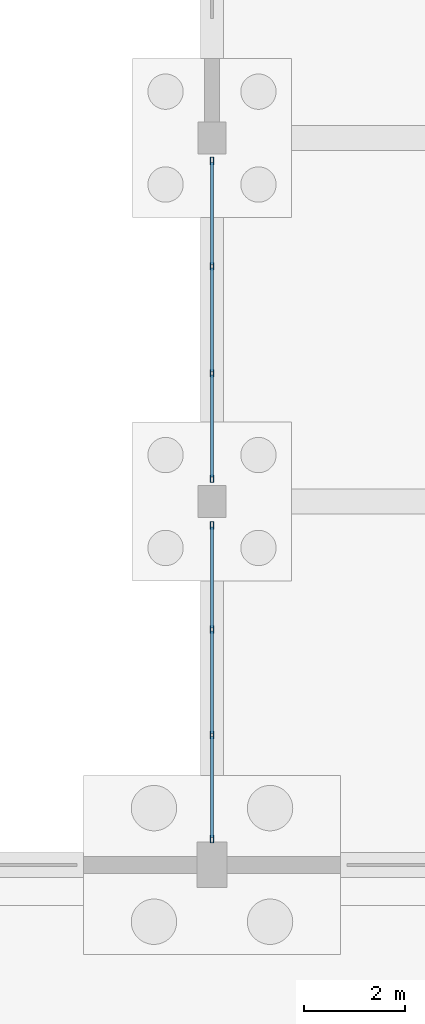
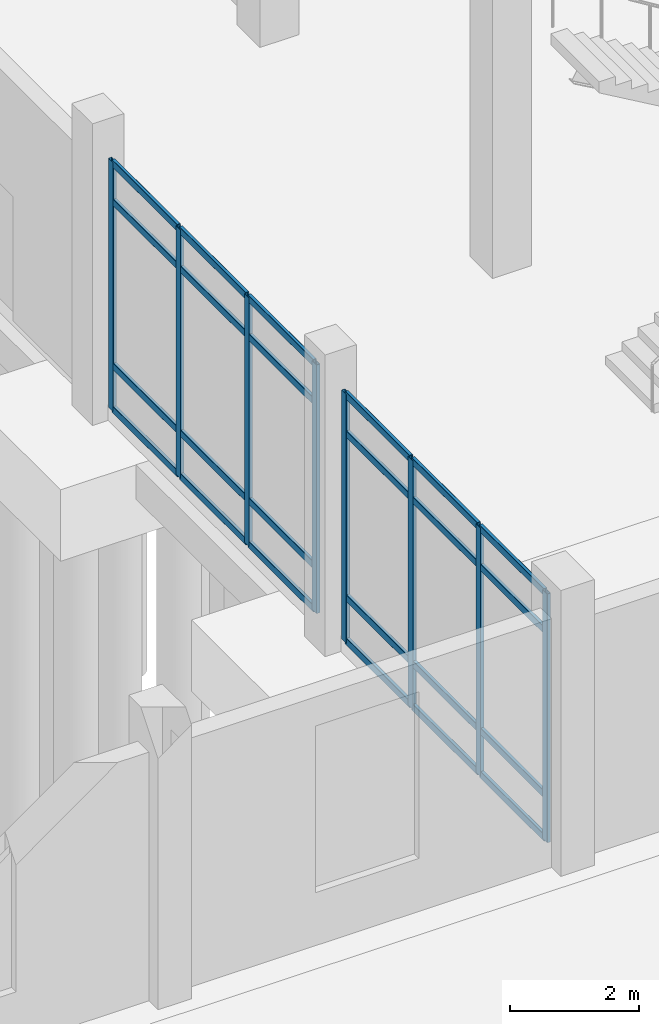
# One storey, part 61 of 109: 32 members, 2 elements without a shape of their own.
"""IFC4 building model written with IfcOpenShell, lengths in metres."""

import ifcopenshell
import ifcopenshell.guid

model = None  # the IFC model being written
_history = None  # IfcOwnerHistory: only IFC2X3 demands one
_inside = {}  # id of a spatial element -> (the spatial element, [elements in it])
_under = {}  # id of a project, library or spatial element -> (it, [spatial elements below it])
_declared = {}  # id of a project -> (the project, [libraries it declares])
_typed = {}  # id of a type object -> (the type object, [elements of that type])
_made_of = {}  # id of a material, layer set ... -> (it, [elements and type objects made of it])


def new_model(schema):
    """Start an empty IFC model of exactly this schema.

    Asked for "IFC4X3", IfcOpenShell would pick the latest addendum, in which some entities
    have other attributes; the version numbers below select the first issue.
    IFC2X3 requires an IfcOwnerHistory on every rooted entity: one is made here for all.
    """
    global model, _history
    if schema == "IFC4X3":
        model = ifcopenshell.file(schema_version=(4, 3, 0, 0))
    else:
        model = ifcopenshell.file(schema=schema)
    _inside.clear()
    _under.clear()
    _declared.clear()
    _typed.clear()
    _made_of.clear()
    _history = None
    if model.schema == "IFC2X3":
        org = make("IfcOrganization", Name="unknown")
        user = make(
            "IfcPersonAndOrganization",
            ThePerson=make("IfcPerson", FamilyName="unknown"),
            TheOrganization=org,
        )
        app = make(
            "IfcApplication",
            ApplicationDeveloper=org,
            Version="unknown",
            ApplicationFullName="unknown",
            ApplicationIdentifier="unknown",
        )
        _history = make(
            "IfcOwnerHistory",
            OwningUser=user,
            OwningApplication=app,
            ChangeAction="ADDED",
            CreationDate=0,
        )
    return model


def make(cls, **values):
    """One entity of the class cls with the attributes given. An attribute that is None is left unset."""
    return model.create_entity(
        cls, **{name: value for name, value in values.items() if value is not None}
    )


def rooted(cls, **values):
    """An entity with a GlobalId (a new one), such as an element, a storey or a relation."""
    return make(cls, GlobalId=ifcopenshell.guid.new(), OwnerHistory=_history, **values)


def si_unit(unit_type, name, prefix=None):
    """IfcSIUnit, for example si_unit("LENGTHUNIT", "METRE", prefix="MILLI")."""
    return make("IfcSIUnit", UnitType=unit_type, Prefix=prefix, Name=name)


def assignment(units):
    """IfcUnitAssignment: the units of a project."""
    return None if units is None else make("IfcUnitAssignment", Units=units)


def point(xyz):
    """IfcCartesianPoint."""
    return None if xyz is None else make("IfcCartesianPoint", Coordinates=xyz)


def direction(xyz):
    """IfcDirection."""
    return None if xyz is None else make("IfcDirection", DirectionRatios=xyz)


def frame(location, z_axis=None, x_axis=None):
    """IfcAxis2Placement3D, a coordinate frame: its origin and axes. An axis left out is left unset."""
    return make(
        "IfcAxis2Placement3D",
        Location=point(location),
        Axis=direction(z_axis),
        RefDirection=direction(x_axis),
    )


def frame_2d(location, x_axis=None):
    """IfcAxis2Placement2D, a coordinate frame in the plane: its origin and x axis."""
    return make(
        "IfcAxis2Placement2D", Location=point(location), RefDirection=direction(x_axis)
    )


def origin():
    """The frame at (0, 0, 0) with its axes left unset."""
    return frame((0.0, 0.0, 0.0))


def origin_2d():
    """The frame at (0, 0) in the plane with its x axis left unset."""
    return frame_2d((0.0, 0.0))


def place(relative_to, where):
    """IfcLocalPlacement: puts the frame where relative to a parent placement (None: the world)."""
    return make(
        "IfcLocalPlacement", PlacementRelTo=relative_to, RelativePlacement=where
    )


def context(
    kind, dimensions, precision=None, world=None, true_north=None, identifier=None
):
    """IfcGeometricRepresentationContext, for example the 3D "Model" context."""
    return make(
        "IfcGeometricRepresentationContext",
        ContextIdentifier=identifier,
        ContextType=kind,
        CoordinateSpaceDimension=dimensions,
        Precision=precision,
        WorldCoordinateSystem=world,
        TrueNorth=true_north,
    )


def subcontext(parent, identifier, kind, view, scale=None):
    """IfcGeometricRepresentationSubContext, for example "Body" below "Model"."""
    return make(
        "IfcGeometricRepresentationSubContext",
        ContextIdentifier=identifier,
        ContextType=kind,
        ParentContext=parent,
        TargetScale=scale,
        TargetView=view,
    )


def project(units=None, contexts=None):
    """IfcProject with its units and contexts."""
    return rooted(
        "IfcProject",
        Name="project",
        RepresentationContexts=contexts,
        UnitsInContext=assignment(units),
    )


def spatial(cls, under=None, at=None, **own):
    """A site, building, storey or space (cls), placed at a placement, below another one or the project."""
    s = rooted(cls, ObjectPlacement=at, **own)
    if under is not None:
        _under.setdefault(under.id(), (under, []))[1].append(s)
    return s


def profile(cls, at=None, kind="AREA", **sizes):
    """A parametric profile (cls). Its sizes go by their IFC names, for example OverallWidth=200.0."""
    return make(cls, ProfileType=kind, Position=at, **sizes)


def hollow_rectangle(**sizes):
    """IfcRectangleHollowProfileDef."""
    return profile("IfcRectangleHollowProfileDef", **sizes)


def extrude(swept, where, along, depth):
    """IfcExtrudedAreaSolid: the profile swept, set in the frame where, extruded along a direction by depth."""
    return make(
        "IfcExtrudedAreaSolid",
        SweptArea=swept,
        Position=where,
        ExtrudedDirection=direction(along),
        Depth=depth,
    )


def shape(context_of_items, identifier, shape_type, items):
    """IfcShapeRepresentation: the items that make up one representation, for example the "Body"."""
    return make(
        "IfcShapeRepresentation",
        ContextOfItems=context_of_items,
        RepresentationIdentifier=identifier,
        RepresentationType=shape_type,
        Items=items,
    )


def material(Name=None, Category=None):
    """IfcMaterial."""
    return make("IfcMaterial", Name=Name, Category=Category)


def material_profile(
    of_material, cross_section, Name=None, Category=None, Priority=None
):
    """IfcMaterialProfile: a cross section and its material."""
    return make(
        "IfcMaterialProfile",
        Name=Name,
        Material=of_material,
        Profile=cross_section,
        Priority=Priority,
        Category=Category,
    )


def profile_set(profiles, Name=None, composite=None):
    """IfcMaterialProfileSet."""
    return make(
        "IfcMaterialProfileSet",
        Name=Name,
        MaterialProfiles=profiles,
        CompositeProfile=composite,
    )


def made_of(thing, what):
    """Note that an element or type object is made of a material, layer set ...; save() writes the relation."""
    if what is not None:
        _made_of.setdefault(what.id(), (what, []))[1].append(thing)
    return thing


def type_object(cls, material=None, **own):
    """A type object (cls), such as IfcWallType, which elements share."""
    return made_of(rooted(cls, **own), material)


def element(
    cls,
    number,
    at=None,
    inside=None,
    cuts=None,
    type_object=None,
    material=None,
    context=None,
    identifier="Body",
    shape_type=None,
    held_by="IfcProductDefinitionShape",
    body=None,
    shapes=None,
    **own,
):
    """One element of the class cls, such as IfcWall. Its Tag is "e" and its number.

    at: its placement. inside: the storey or other place that contains it. cuts: it is an
    opening in that element (IfcRelVoidsElement). A single representation is given by context,
    identifier, shape_type and body (its items); several are given by shapes. held_by: the class
    of the entity that holds the representations. save() writes the other relations.
    """
    e = rooted(cls, Tag="e%d" % number, ObjectPlacement=at, **own)
    if body is not None:
        shapes = [shape(context, identifier, shape_type, body)]
    if shapes is not None:
        e.Representation = make(held_by, Representations=shapes)
    if inside is not None:
        _inside.setdefault(inside.id(), (inside, []))[1].append(e)
    if cuts is not None:
        rooted(
            "IfcRelVoidsElement", RelatingBuildingElement=cuts, RelatedOpeningElement=e
        )
    if type_object is not None:
        _typed.setdefault(type_object.id(), (type_object, []))[1].append(e)
    return made_of(e, material)


def aggregate(whole, parts):
    """IfcRelAggregates: a whole, such as a stair, and the parts it consists of."""
    return rooted("IfcRelAggregates", RelatingObject=whole, RelatedObjects=parts)


def save(model, path):
    """Write the relations noted so far, then the file.

    IfcRelAggregates (storeys below a building ...), IfcRelContainedInSpatialStructure (elements
    in a storey), IfcRelDefinesByType, IfcRelAssociatesMaterial and IfcRelDeclares: one each for
    every whole, place, type object, material and project.
    """
    for whole, parts in _under.values():
        aggregate(whole, parts)
    for where, things in _inside.values():
        rooted(
            "IfcRelContainedInSpatialStructure",
            RelatedElements=things,
            RelatingStructure=where,
        )
    for kind, things in _typed.values():
        rooted("IfcRelDefinesByType", RelatedObjects=things, RelatingType=kind)
    for what, things in _made_of.values():
        rooted("IfcRelAssociatesMaterial", RelatedObjects=things, RelatingMaterial=what)
    for by, libraries in _declared.values():
        rooted("IfcRelDeclares", RelatingContext=by, RelatedDefinitions=libraries)
    model.write(path)


model = new_model("IFC4")

# Units and contexts
model_context = context("Model", 3, precision=1e-05, world=origin(), true_north=direction((0.0, 1.0)))
body_context = subcontext(model_context, "Body", "Model", "MODEL_VIEW")
ifc_project = project(units=[si_unit("LENGTHUNIT", "METRE"), si_unit("AREAUNIT", "SQUARE_METRE"), si_unit("VOLUMEUNIT", "CUBIC_METRE"), si_unit("PLANEANGLEUNIT", "RADIAN"), si_unit("MASSUNIT", "GRAM", prefix="KILO")], contexts=[model_context])

# Site, building, storey
site_placement = place(None, origin())
site = spatial("IfcSite", under=ifc_project, at=site_placement, CompositionType="ELEMENT")
building_placement = place(site_placement, origin())
building = spatial("IfcBuilding", under=site, at=building_placement, Name="Lusvemor Sports Hall", CompositionType="ELEMENT")
storey_placement = place(building_placement, origin())
storey = spatial("IfcBuildingStorey", under=building, at=storey_placement, Name="L00", CompositionType="ELEMENT", Elevation=0.0)

# Curtain wall, members
ifc_material_1 = material(Name="Thermally broken bronze-anodized aluminium", Category="aluminium")
curtain_wall_type_1 = type_object("IfcCurtainWallType", Name="CW_CLIMB_D", PredefinedType="NOTDEFINED", material=ifc_material_1)
curtain_wall_1_placement = place(storey_placement, origin())
curtain_wall_1 = element("IfcCurtainWall", 1, at=curtain_wall_1_placement, inside=storey, type_object=curtain_wall_type_1, Name="Curtain Wall CW-V3W-L00-0", PredefinedType="NOTDEFINED")
ifc_material_2 = material(Name="Thermally broken bronze-anodized aluminium", Category="aluminium")
ifc_material_profile_1 = material_profile(ifc_material_2, hollow_rectangle(XDim=0.06494140625, YDim=0.14990234375, WallThickness=0.00390625, InnerFilletRadius=0.00390625, OuterFilletRadius=0.008056640625, at=origin_2d()), Name="CWMUL150x65x4")
ifc_profile_set_1 = profile_set([ifc_material_profile_1], Name="Thermally broken bronze-anodized aluminium")
member_type_1 = type_object("IfcMemberType", Name="CW_MUL_B", PredefinedType="MULLION", material=ifc_profile_set_1)
member_1_placement = place(storey_placement, frame((133.199951171875, 47.25244140625, 0.0), z_axis=(0.0, 0.0, 1.0), x_axis=(-1.0, 0.0, 0.0)))
member_1 = element("IfcMember", 2, at=member_1_placement, type_object=member_type_1, Name="CW04 mullion 1", PredefinedType="MULLION", context=body_context, shape_type="SweptSolid", body=[
    extrude(hollow_rectangle(XDim=0.06494140625, YDim=0.14990234375, WallThickness=0.00390625, InnerFilletRadius=0.00390625, OuterFilletRadius=0.008056640625, at=origin_2d()), origin(), (0.0, 0.0, 1.0), 4.699951171875),
])
member_2_placement = place(storey_placement, frame((133.199951171875, 49.340087890625, 0.0), z_axis=(0.0, 0.0, 1.0), x_axis=(-1.0, 0.0, 0.0)))
member_2 = element("IfcMember", 3, at=member_2_placement, type_object=member_type_1, Name="CW04 mullion 2", PredefinedType="MULLION", context=body_context, shape_type="SweptSolid", body=[
    extrude(hollow_rectangle(XDim=0.06494140625, YDim=0.14990234375, WallThickness=0.00390625, InnerFilletRadius=0.00390625, OuterFilletRadius=0.008056640625, at=origin_2d()), origin(), (0.0, 0.0, 1.0), 4.699951171875),
])
member_3_placement = place(storey_placement, frame((133.199951171875, 51.4599609375, 0.0), z_axis=(0.0, 0.0, 1.0), x_axis=(-1.0, 0.0, 0.0)))
member_3 = element("IfcMember", 4, at=member_3_placement, type_object=member_type_1, Name="CW04 mullion 3", PredefinedType="MULLION", context=body_context, shape_type="SweptSolid", body=[
    extrude(hollow_rectangle(XDim=0.06494140625, YDim=0.14990234375, WallThickness=0.00390625, InnerFilletRadius=0.00390625, OuterFilletRadius=0.008056640625, at=origin_2d()), origin(), (0.0, 0.0, 1.0), 4.699951171875),
])
member_4_placement = place(storey_placement, frame((133.199951171875, 53.547607421875, 0.0), z_axis=(0.0, 0.0, 1.0), x_axis=(-1.0, 0.0, 0.0)))
member_4 = element("IfcMember", 5, at=member_4_placement, type_object=member_type_1, Name="CW04 mullion 4", PredefinedType="MULLION", context=body_context, shape_type="SweptSolid", body=[
    extrude(hollow_rectangle(XDim=0.06494140625, YDim=0.14990234375, WallThickness=0.00390625, InnerFilletRadius=0.00390625, OuterFilletRadius=0.008056640625, at=origin_2d()), origin(), (0.0, 0.0, 1.0), 4.699951171875),
])

ifc_material_3 = material(Name="Thermally broken bronze-anodized aluminium", Category="aluminium")
curtain_wall_type_2 = type_object("IfcCurtainWallType", Name="CW_PASSAGE_E", PredefinedType="NOTDEFINED", material=ifc_material_3)
curtain_wall_2_placement = place(storey_placement, origin())
curtain_wall_2 = element("IfcCurtainWall", 6, at=curtain_wall_2_placement, inside=storey, type_object=curtain_wall_type_2, Name="Curtain Wall CW-ELINK-133-L00", PredefinedType="NOTDEFINED")
member_5_placement = place(storey_placement, frame((133.199951171875, 40.112548828125, 0.0), z_axis=(0.0, 0.0, 1.0), x_axis=(-1.0, 0.0, 0.0)))
member_5 = element("IfcMember", 7, at=member_5_placement, type_object=member_type_1, Name="CW05 mullion 1", PredefinedType="MULLION", context=body_context, shape_type="SweptSolid", body=[
    extrude(hollow_rectangle(XDim=0.06494140625, YDim=0.14990234375, WallThickness=0.00390625, InnerFilletRadius=0.00390625, OuterFilletRadius=0.008056640625, at=origin_2d()), origin(), (0.0, 0.0, 1.0), 4.699951171875),
])
member_6_placement = place(storey_placement, frame((133.199951171875, 42.17333984375, 0.0), z_axis=(0.0, 0.0, 1.0), x_axis=(-1.0, 0.0, 0.0)))
member_6 = element("IfcMember", 8, at=member_6_placement, type_object=member_type_1, Name="CW05 mullion 2", PredefinedType="MULLION", context=body_context, shape_type="SweptSolid", body=[
    extrude(hollow_rectangle(XDim=0.06494140625, YDim=0.14990234375, WallThickness=0.00390625, InnerFilletRadius=0.00390625, OuterFilletRadius=0.008056640625, at=origin_2d()), origin(), (0.0, 0.0, 1.0), 4.699951171875),
])
member_7_placement = place(storey_placement, frame((133.199951171875, 44.2666015625, 0.0), z_axis=(0.0, 0.0, 1.0), x_axis=(-1.0, 0.0, 0.0)))
member_7 = element("IfcMember", 9, at=member_7_placement, type_object=member_type_1, Name="CW05 mullion 3", PredefinedType="MULLION", context=body_context, shape_type="SweptSolid", body=[
    extrude(hollow_rectangle(XDim=0.06494140625, YDim=0.14990234375, WallThickness=0.00390625, InnerFilletRadius=0.00390625, OuterFilletRadius=0.008056640625, at=origin_2d()), origin(), (0.0, 0.0, 1.0), 4.699951171875),
])
member_8_placement = place(storey_placement, frame((133.199951171875, 46.327392578125, 0.0), z_axis=(0.0, 0.0, 1.0), x_axis=(-1.0, 0.0, 0.0)))
member_8 = element("IfcMember", 10, at=member_8_placement, type_object=member_type_1, Name="CW05 mullion 4", PredefinedType="MULLION", context=body_context, shape_type="SweptSolid", body=[
    extrude(hollow_rectangle(XDim=0.06494140625, YDim=0.14990234375, WallThickness=0.00390625, InnerFilletRadius=0.00390625, OuterFilletRadius=0.008056640625, at=origin_2d()), origin(), (0.0, 0.0, 1.0), 4.699951171875),
])

# Member
ifc_material_4 = material(Name="Thermally broken bronze-anodized aluminium", Category="aluminium")
ifc_material_profile_2 = material_profile(ifc_material_4, hollow_rectangle(XDim=0.06005859375, YDim=0.135009765625, WallThickness=0.00390625, InnerFilletRadius=0.00390625, OuterFilletRadius=0.008056640625, at=origin_2d()), Name="CWTRN135x60x4")
ifc_profile_set_2 = profile_set([ifc_material_profile_2], Name="Thermally broken bronze-anodized aluminium")
member_type_2 = type_object("IfcMemberType", Name="CW_TRN_B", PredefinedType="USERDEFINED", material=ifc_profile_set_2)
member_9_placement = place(storey_placement, frame((133.199951171875, 47.284912109375, 0.030029296875), z_axis=(0.0, 1.0, 0.0), x_axis=(-1.0, 0.0, 0.0)))
member_9 = element("IfcMember", 11, at=member_9_placement, type_object=member_type_2, Name="CW04 transom 1.1", ObjectType="TRANSOM", PredefinedType="USERDEFINED", context=body_context, shape_type="SweptSolid", body=[
    extrude(hollow_rectangle(XDim=0.06005859375, YDim=0.135009765625, WallThickness=0.00390625, InnerFilletRadius=0.00390625, OuterFilletRadius=0.008056640625, at=origin_2d()), origin(), (0.0, 0.0, 1.0), 2.022705078125),
])

member_10_placement = place(storey_placement, frame((133.199951171875, 47.284912109375, 0.85009765625), z_axis=(0.0, 1.0, 0.0), x_axis=(-1.0, 0.0, 0.0)))
member_10 = element("IfcMember", 12, at=member_10_placement, type_object=member_type_2, Name="CW04 transom 1.2", ObjectType="TRANSOM", PredefinedType="USERDEFINED", context=body_context, shape_type="SweptSolid", body=[
    extrude(hollow_rectangle(XDim=0.06005859375, YDim=0.135009765625, WallThickness=0.00390625, InnerFilletRadius=0.00390625, OuterFilletRadius=0.008056640625, at=origin_2d()), origin(), (0.0, 0.0, 1.0), 2.022705078125),
])

member_11_placement = place(storey_placement, frame((133.199951171875, 47.284912109375, 3.949951171875), z_axis=(0.0, 1.0, 0.0), x_axis=(-1.0, 0.0, 0.0)))
member_11 = element("IfcMember", 13, at=member_11_placement, type_object=member_type_2, Name="CW04 transom 1.3", ObjectType="TRANSOM", PredefinedType="USERDEFINED", context=body_context, shape_type="SweptSolid", body=[
    extrude(hollow_rectangle(XDim=0.06005859375, YDim=0.135009765625, WallThickness=0.00390625, InnerFilletRadius=0.00390625, OuterFilletRadius=0.008056640625, at=origin_2d()), origin(), (0.0, 0.0, 1.0), 2.022705078125),
])

member_12_placement = place(storey_placement, frame((133.199951171875, 47.284912109375, 4.669921875), z_axis=(0.0, 1.0, 0.0), x_axis=(-1.0, 0.0, 0.0)))
member_12 = element("IfcMember", 14, at=member_12_placement, type_object=member_type_2, Name="CW04 transom 1.4", ObjectType="TRANSOM", PredefinedType="USERDEFINED", context=body_context, shape_type="SweptSolid", body=[
    extrude(hollow_rectangle(XDim=0.06005859375, YDim=0.135009765625, WallThickness=0.00390625, InnerFilletRadius=0.00390625, OuterFilletRadius=0.008056640625, at=origin_2d()), origin(), (0.0, 0.0, 1.0), 2.022705078125),
])

member_13_placement = place(storey_placement, frame((133.199951171875, 49.37255859375, 0.030029296875), z_axis=(0.0, 1.0, 0.0), x_axis=(-1.0, 0.0, 0.0)))
member_13 = element("IfcMember", 15, at=member_13_placement, type_object=member_type_2, Name="CW04 transom 2.1", ObjectType="TRANSOM", PredefinedType="USERDEFINED", context=body_context, shape_type="SweptSolid", body=[
    extrude(hollow_rectangle(XDim=0.06005859375, YDim=0.135009765625, WallThickness=0.00390625, InnerFilletRadius=0.00390625, OuterFilletRadius=0.008056640625, at=origin_2d()), origin(), (0.0, 0.0, 1.0), 2.054931640625),
])

member_14_placement = place(storey_placement, frame((133.199951171875, 49.37255859375, 0.85009765625), z_axis=(0.0, 1.0, 0.0), x_axis=(-1.0, 0.0, 0.0)))
member_14 = element("IfcMember", 16, at=member_14_placement, type_object=member_type_2, Name="CW04 transom 2.2", ObjectType="TRANSOM", PredefinedType="USERDEFINED", context=body_context, shape_type="SweptSolid", body=[
    extrude(hollow_rectangle(XDim=0.06005859375, YDim=0.135009765625, WallThickness=0.00390625, InnerFilletRadius=0.00390625, OuterFilletRadius=0.008056640625, at=origin_2d()), origin(), (0.0, 0.0, 1.0), 2.054931640625),
])

member_15_placement = place(storey_placement, frame((133.199951171875, 49.37255859375, 3.949951171875), z_axis=(0.0, 1.0, 0.0), x_axis=(-1.0, 0.0, 0.0)))
member_15 = element("IfcMember", 17, at=member_15_placement, type_object=member_type_2, Name="CW04 transom 2.3", ObjectType="TRANSOM", PredefinedType="USERDEFINED", context=body_context, shape_type="SweptSolid", body=[
    extrude(hollow_rectangle(XDim=0.06005859375, YDim=0.135009765625, WallThickness=0.00390625, InnerFilletRadius=0.00390625, OuterFilletRadius=0.008056640625, at=origin_2d()), origin(), (0.0, 0.0, 1.0), 2.054931640625),
])

member_16_placement = place(storey_placement, frame((133.199951171875, 49.37255859375, 4.669921875), z_axis=(0.0, 1.0, 0.0), x_axis=(-1.0, 0.0, 0.0)))
member_16 = element("IfcMember", 18, at=member_16_placement, type_object=member_type_2, Name="CW04 transom 2.4", ObjectType="TRANSOM", PredefinedType="USERDEFINED", context=body_context, shape_type="SweptSolid", body=[
    extrude(hollow_rectangle(XDim=0.06005859375, YDim=0.135009765625, WallThickness=0.00390625, InnerFilletRadius=0.00390625, OuterFilletRadius=0.008056640625, at=origin_2d()), origin(), (0.0, 0.0, 1.0), 2.054931640625),
])

member_17_placement = place(storey_placement, frame((133.199951171875, 51.492431640625, 0.030029296875), z_axis=(0.0, 1.0, 0.0), x_axis=(-1.0, 0.0, 0.0)))
member_17 = element("IfcMember", 19, at=member_17_placement, type_object=member_type_2, Name="CW04 transom 3.1", ObjectType="TRANSOM", PredefinedType="USERDEFINED", context=body_context, shape_type="SweptSolid", body=[
    extrude(hollow_rectangle(XDim=0.06005859375, YDim=0.135009765625, WallThickness=0.00390625, InnerFilletRadius=0.00390625, OuterFilletRadius=0.008056640625, at=origin_2d()), origin(), (0.0, 0.0, 1.0), 2.0224609375),
])

member_18_placement = place(storey_placement, frame((133.199951171875, 51.492431640625, 0.85009765625), z_axis=(0.0, 1.0, 0.0), x_axis=(-1.0, 0.0, 0.0)))
member_18 = element("IfcMember", 20, at=member_18_placement, type_object=member_type_2, Name="CW04 transom 3.2", ObjectType="TRANSOM", PredefinedType="USERDEFINED", context=body_context, shape_type="SweptSolid", body=[
    extrude(hollow_rectangle(XDim=0.06005859375, YDim=0.135009765625, WallThickness=0.00390625, InnerFilletRadius=0.00390625, OuterFilletRadius=0.008056640625, at=origin_2d()), origin(), (0.0, 0.0, 1.0), 2.0224609375),
])

member_19_placement = place(storey_placement, frame((133.199951171875, 51.492431640625, 3.949951171875), z_axis=(0.0, 1.0, 0.0), x_axis=(-1.0, 0.0, 0.0)))
member_19 = element("IfcMember", 21, at=member_19_placement, type_object=member_type_2, Name="CW04 transom 3.3", ObjectType="TRANSOM", PredefinedType="USERDEFINED", context=body_context, shape_type="SweptSolid", body=[
    extrude(hollow_rectangle(XDim=0.06005859375, YDim=0.135009765625, WallThickness=0.00390625, InnerFilletRadius=0.00390625, OuterFilletRadius=0.008056640625, at=origin_2d()), origin(), (0.0, 0.0, 1.0), 2.0224609375),
])

member_20_placement = place(storey_placement, frame((133.199951171875, 51.492431640625, 4.669921875), z_axis=(0.0, 1.0, 0.0), x_axis=(-1.0, 0.0, 0.0)))
member_20 = element("IfcMember", 22, at=member_20_placement, type_object=member_type_2, Name="CW04 transom 3.4", ObjectType="TRANSOM", PredefinedType="USERDEFINED", context=body_context, shape_type="SweptSolid", body=[
    extrude(hollow_rectangle(XDim=0.06005859375, YDim=0.135009765625, WallThickness=0.00390625, InnerFilletRadius=0.00390625, OuterFilletRadius=0.008056640625, at=origin_2d()), origin(), (0.0, 0.0, 1.0), 2.0224609375),
])

aggregate(curtain_wall_1, [member_1, member_2, member_3, member_4, member_9, member_10, member_11, member_12, member_13, member_14, member_15, member_16, member_17, member_18, member_19, member_20])

member_21_placement = place(storey_placement, frame((133.199951171875, 40.14501953125, 0.030029296875), z_axis=(0.0, 1.0, 0.0), x_axis=(-1.0, 0.0, 0.0)))
member_21 = element("IfcMember", 23, at=member_21_placement, type_object=member_type_2, Name="CW05 transom 1.1", ObjectType="TRANSOM", PredefinedType="USERDEFINED", context=body_context, shape_type="SweptSolid", body=[
    extrude(hollow_rectangle(XDim=0.06005859375, YDim=0.135009765625, WallThickness=0.00390625, InnerFilletRadius=0.00390625, OuterFilletRadius=0.008056640625, at=origin_2d()), origin(), (0.0, 0.0, 1.0), 1.995849609375),
])

member_22_placement = place(storey_placement, frame((133.199951171875, 40.14501953125, 0.85009765625), z_axis=(0.0, 1.0, 0.0), x_axis=(-1.0, 0.0, 0.0)))
member_22 = element("IfcMember", 24, at=member_22_placement, type_object=member_type_2, Name="CW05 transom 1.2", ObjectType="TRANSOM", PredefinedType="USERDEFINED", context=body_context, shape_type="SweptSolid", body=[
    extrude(hollow_rectangle(XDim=0.06005859375, YDim=0.135009765625, WallThickness=0.00390625, InnerFilletRadius=0.00390625, OuterFilletRadius=0.008056640625, at=origin_2d()), origin(), (0.0, 0.0, 1.0), 1.995849609375),
])

member_23_placement = place(storey_placement, frame((133.199951171875, 40.14501953125, 3.949951171875), z_axis=(0.0, 1.0, 0.0), x_axis=(-1.0, 0.0, 0.0)))
member_23 = element("IfcMember", 25, at=member_23_placement, type_object=member_type_2, Name="CW05 transom 1.3", ObjectType="TRANSOM", PredefinedType="USERDEFINED", context=body_context, shape_type="SweptSolid", body=[
    extrude(hollow_rectangle(XDim=0.06005859375, YDim=0.135009765625, WallThickness=0.00390625, InnerFilletRadius=0.00390625, OuterFilletRadius=0.008056640625, at=origin_2d()), origin(), (0.0, 0.0, 1.0), 1.995849609375),
])

member_24_placement = place(storey_placement, frame((133.199951171875, 40.14501953125, 4.669921875), z_axis=(0.0, 1.0, 0.0), x_axis=(-1.0, 0.0, 0.0)))
member_24 = element("IfcMember", 26, at=member_24_placement, type_object=member_type_2, Name="CW05 transom 1.4", ObjectType="TRANSOM", PredefinedType="USERDEFINED", context=body_context, shape_type="SweptSolid", body=[
    extrude(hollow_rectangle(XDim=0.06005859375, YDim=0.135009765625, WallThickness=0.00390625, InnerFilletRadius=0.00390625, OuterFilletRadius=0.008056640625, at=origin_2d()), origin(), (0.0, 0.0, 1.0), 1.995849609375),
])

member_25_placement = place(storey_placement, frame((133.199951171875, 42.205810546875, 0.030029296875), z_axis=(0.0, 1.0, 0.0), x_axis=(-1.0, 0.0, 0.0)))
member_25 = element("IfcMember", 27, at=member_25_placement, type_object=member_type_2, Name="CW05 transom 2.1", ObjectType="TRANSOM", PredefinedType="USERDEFINED", context=body_context, shape_type="SweptSolid", body=[
    extrude(hollow_rectangle(XDim=0.06005859375, YDim=0.135009765625, WallThickness=0.00390625, InnerFilletRadius=0.00390625, OuterFilletRadius=0.008056640625, at=origin_2d()), origin(), (0.0, 0.0, 1.0), 2.0283203125),
])

member_26_placement = place(storey_placement, frame((133.199951171875, 42.205810546875, 0.85009765625), z_axis=(0.0, 1.0, 0.0), x_axis=(-1.0, 0.0, 0.0)))
member_26 = element("IfcMember", 28, at=member_26_placement, type_object=member_type_2, Name="CW05 transom 2.2", ObjectType="TRANSOM", PredefinedType="USERDEFINED", context=body_context, shape_type="SweptSolid", body=[
    extrude(hollow_rectangle(XDim=0.06005859375, YDim=0.135009765625, WallThickness=0.00390625, InnerFilletRadius=0.00390625, OuterFilletRadius=0.008056640625, at=origin_2d()), origin(), (0.0, 0.0, 1.0), 2.0283203125),
])

member_27_placement = place(storey_placement, frame((133.199951171875, 42.205810546875, 3.949951171875), z_axis=(0.0, 1.0, 0.0), x_axis=(-1.0, 0.0, 0.0)))
member_27 = element("IfcMember", 29, at=member_27_placement, type_object=member_type_2, Name="CW05 transom 2.3", ObjectType="TRANSOM", PredefinedType="USERDEFINED", context=body_context, shape_type="SweptSolid", body=[
    extrude(hollow_rectangle(XDim=0.06005859375, YDim=0.135009765625, WallThickness=0.00390625, InnerFilletRadius=0.00390625, OuterFilletRadius=0.008056640625, at=origin_2d()), origin(), (0.0, 0.0, 1.0), 2.0283203125),
])

member_28_placement = place(storey_placement, frame((133.199951171875, 42.205810546875, 4.669921875), z_axis=(0.0, 1.0, 0.0), x_axis=(-1.0, 0.0, 0.0)))
member_28 = element("IfcMember", 30, at=member_28_placement, type_object=member_type_2, Name="CW05 transom 2.4", ObjectType="TRANSOM", PredefinedType="USERDEFINED", context=body_context, shape_type="SweptSolid", body=[
    extrude(hollow_rectangle(XDim=0.06005859375, YDim=0.135009765625, WallThickness=0.00390625, InnerFilletRadius=0.00390625, OuterFilletRadius=0.008056640625, at=origin_2d()), origin(), (0.0, 0.0, 1.0), 2.0283203125),
])

member_29_placement = place(storey_placement, frame((133.199951171875, 44.299072265625, 0.030029296875), z_axis=(0.0, 1.0, 0.0), x_axis=(-1.0, 0.0, 0.0)))
member_29 = element("IfcMember", 31, at=member_29_placement, type_object=member_type_2, Name="CW05 transom 3.1", ObjectType="TRANSOM", PredefinedType="USERDEFINED", context=body_context, shape_type="SweptSolid", body=[
    extrude(hollow_rectangle(XDim=0.06005859375, YDim=0.135009765625, WallThickness=0.00390625, InnerFilletRadius=0.00390625, OuterFilletRadius=0.008056640625, at=origin_2d()), origin(), (0.0, 0.0, 1.0), 1.995849609375),
])

member_30_placement = place(storey_placement, frame((133.199951171875, 44.299072265625, 0.85009765625), z_axis=(0.0, 1.0, 0.0), x_axis=(-1.0, 0.0, 0.0)))
member_30 = element("IfcMember", 32, at=member_30_placement, type_object=member_type_2, Name="CW05 transom 3.2", ObjectType="TRANSOM", PredefinedType="USERDEFINED", context=body_context, shape_type="SweptSolid", body=[
    extrude(hollow_rectangle(XDim=0.06005859375, YDim=0.135009765625, WallThickness=0.00390625, InnerFilletRadius=0.00390625, OuterFilletRadius=0.008056640625, at=origin_2d()), origin(), (0.0, 0.0, 1.0), 1.995849609375),
])

member_31_placement = place(storey_placement, frame((133.199951171875, 44.299072265625, 3.949951171875), z_axis=(0.0, 1.0, 0.0), x_axis=(-1.0, 0.0, 0.0)))
member_31 = element("IfcMember", 33, at=member_31_placement, type_object=member_type_2, Name="CW05 transom 3.3", ObjectType="TRANSOM", PredefinedType="USERDEFINED", context=body_context, shape_type="SweptSolid", body=[
    extrude(hollow_rectangle(XDim=0.06005859375, YDim=0.135009765625, WallThickness=0.00390625, InnerFilletRadius=0.00390625, OuterFilletRadius=0.008056640625, at=origin_2d()), origin(), (0.0, 0.0, 1.0), 1.995849609375),
])

member_32_placement = place(storey_placement, frame((133.199951171875, 44.299072265625, 4.669921875), z_axis=(0.0, 1.0, 0.0), x_axis=(-1.0, 0.0, 0.0)))
member_32 = element("IfcMember", 34, at=member_32_placement, type_object=member_type_2, Name="CW05 transom 3.4", ObjectType="TRANSOM", PredefinedType="USERDEFINED", context=body_context, shape_type="SweptSolid", body=[
    extrude(hollow_rectangle(XDim=0.06005859375, YDim=0.135009765625, WallThickness=0.00390625, InnerFilletRadius=0.00390625, OuterFilletRadius=0.008056640625, at=origin_2d()), origin(), (0.0, 0.0, 1.0), 1.995849609375),
])

aggregate(curtain_wall_2, [member_5, member_6, member_7, member_8, member_21, member_22, member_23, member_24, member_25, member_26, member_27, member_28, member_29, member_30, member_31, member_32])

save(model, "model.ifc")
